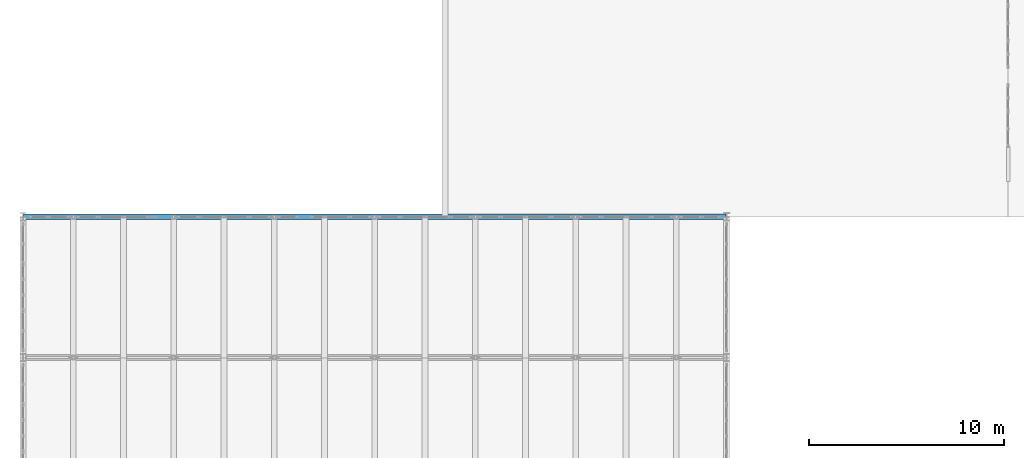
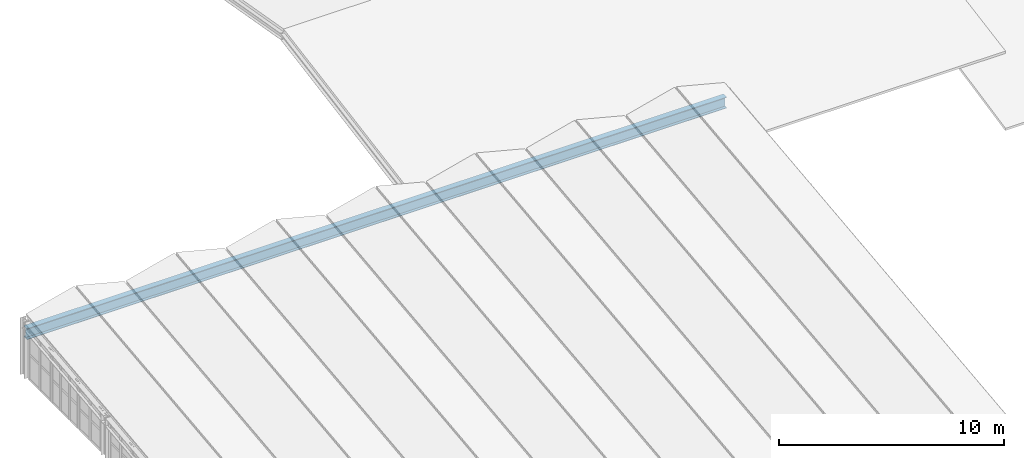
# One storey, part 8 of 39: 1 beam.
"""IFC4 building model written with IfcOpenShell, lengths in metres."""

from ifc_helpers import new_model, si_unit, direction, frame, origin, origin_2d, place, context, subcontext, project, spatial, i_section, extrude, material, material_profile, profile_set, type_object, element, save


model = new_model("IFC4")

# Units and contexts
model_context = context("Model", 3, precision=1e-05, world=origin(), true_north=direction((0.0, 1.0)))
body_context = subcontext(model_context, "Body", "Model", "MODEL_VIEW")
ifc_project = project(units=[si_unit("LENGTHUNIT", "METRE"), si_unit("AREAUNIT", "SQUARE_METRE"), si_unit("VOLUMEUNIT", "CUBIC_METRE"), si_unit("PLANEANGLEUNIT", "RADIAN"), si_unit("MASSUNIT", "GRAM", prefix="KILO"), si_unit("THERMODYNAMICTEMPERATUREUNIT", "KELVIN"), si_unit("POWERUNIT", "WATT")], contexts=[model_context])

# Site, building, storey
site_placement = place(None, origin())
site = spatial("IfcSite", under=ifc_project, at=site_placement, CompositionType="ELEMENT")
building_placement = place(site_placement, origin())
building = spatial("IfcBuilding", under=site, at=building_placement, Name="Kaldorven Railside Theatre", CompositionType="ELEMENT")
storey_placement = place(building_placement, frame((0.0, 0.0, 27.300048828125)))
storey = spatial("IfcBuildingStorey", under=building, at=storey_placement, Name="ROOF", CompositionType="ELEMENT", Elevation=27.300048828125)

# Beam
ifc_material = material(Name="Steel S355", Category="steel")
ifc_material_profile = material_profile(ifc_material, i_section(OverallWidth=0.300048828125, OverallDepth=0.60009765625, WebThickness=0.015380859375, FlangeThickness=0.030029296875, at=origin_2d()), Name="HEB 600")
ifc_profile_set = profile_set([ifc_material_profile], Name="Steel S355")
beam_type = type_object("IfcBeamType", Name="BM-HEB600", PredefinedType="BEAM", material=ifc_profile_set)
beam_placement = place(storey_placement, frame((87.219970703125, 112.800048828125, 2.33447265625), z_axis=(1.0, 0.0, 0.0), x_axis=(0.0, 1.0, 0.0)))
element("IfcBeam", 1, at=beam_placement, inside=storey, type_object=beam_type, Name="V2 N Gable Ring Girder", PredefinedType="BEAM", context=body_context, shape_type="SweptSolid", body=[
    extrude(i_section(OverallWidth=0.300048828125, OverallDepth=0.60009765625, WebThickness=0.015380859375, FlangeThickness=0.030029296875, at=origin_2d()), origin(), (0.0, 0.0, 1.0), 35.9599609375),
])

save(model, "model.ifc")
